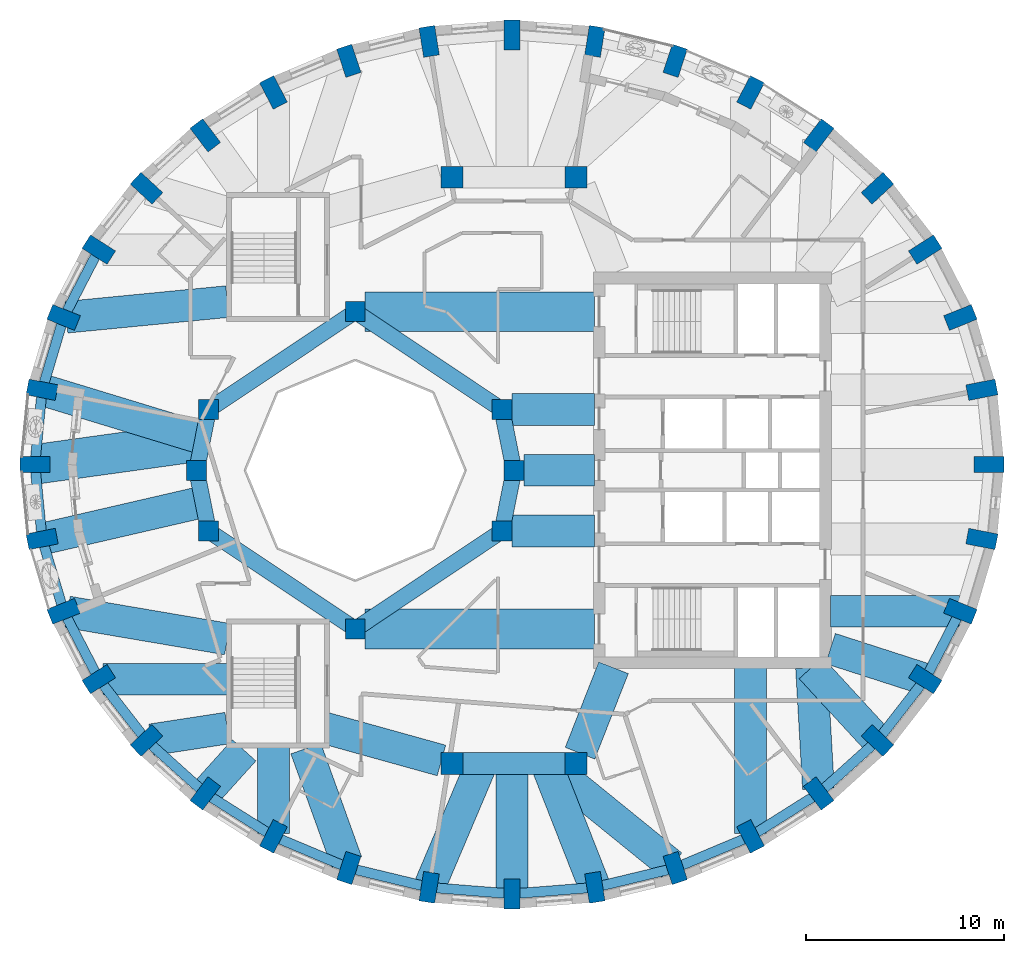
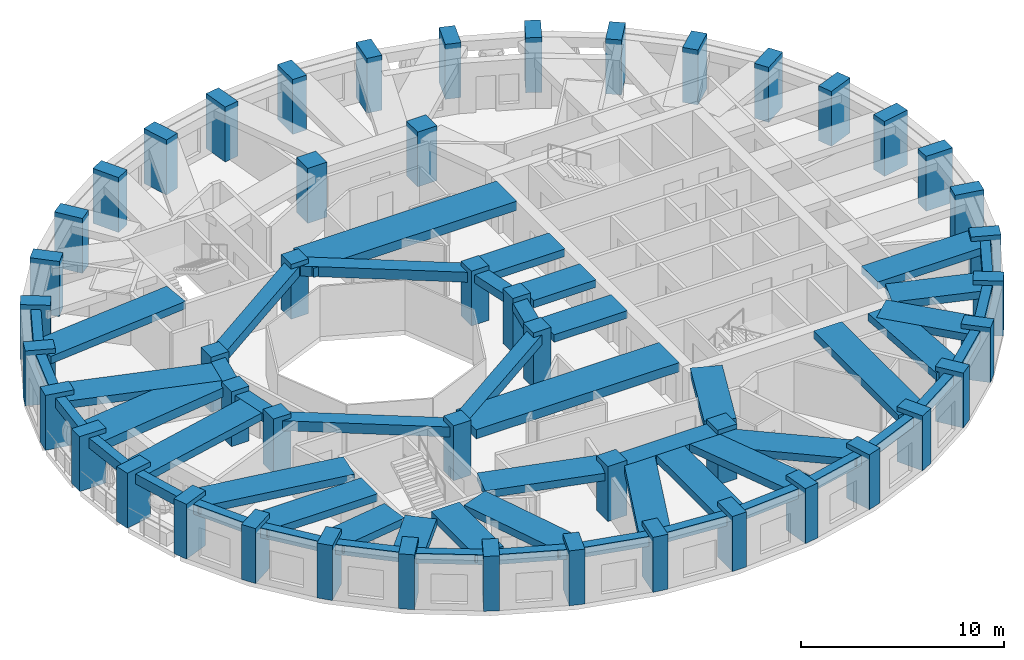
# One storey, part 1 of 12: 54 beams, 48 columns.
"""IFC4 building model written with IfcOpenShell, lengths in metres."""

from ifc_helpers import new_model, si_unit, direction, frame, origin, origin_2d, place, context, subcontext, project, spatial, rectangle, extrude, material, material_profile, profile_set, type_object, element, save


model = new_model("IFC4")

# Units and contexts
model_context = context("Model", 3, precision=1e-05, world=origin(), true_north=direction((0.0, 1.0)))
body_context = subcontext(model_context, "Body", "Model", "MODEL_VIEW")
ifc_project = project(units=[si_unit("LENGTHUNIT", "METRE"), si_unit("AREAUNIT", "SQUARE_METRE"), si_unit("VOLUMEUNIT", "CUBIC_METRE"), si_unit("PLANEANGLEUNIT", "RADIAN"), si_unit("MASSUNIT", "GRAM", prefix="KILO")], contexts=[model_context])

# Site, building, storey
site_placement = place(None, origin())
site = spatial("IfcSite", under=ifc_project, at=site_placement, CompositionType="ELEMENT")
building_placement = place(site_placement, origin())
building = spatial("IfcBuilding", under=site, at=building_placement, Name="Taillehof Tower", CompositionType="ELEMENT")
storey_placement = place(building_placement, frame((0.0, 0.0, 236.60009765625)))
storey = spatial("IfcBuildingStorey", under=building, at=storey_placement, Name="L67", CompositionType="ELEMENT", Elevation=236.60009765625)

# Columns
ifc_material_1 = material(Name="Concrete C50/60", Category="concrete")
ifc_material_profile_1 = material_profile(ifc_material_1, rectangle(XDim=1.0, YDim=1.0, at=origin_2d()), Name="RC 1000x1000")
ifc_profile_set_1 = profile_set([ifc_material_profile_1], Name="Concrete C50/60")
column_type_1 = type_object("IfcColumnType", Name="Atrium ring column C50/60 1000x1000", PredefinedType="COLUMN", material=ifc_profile_set_1)
for number, where, z_axis, x_axis, name in (
    (1, (0.0, 0.0, 0.0), (0.0, 0.0, 1.0), (1.0, 0.0, 0.0), "Column AC01"),
    (2, (-0.60888671875, 3.0615234375, 0.0), (0.0, 0.0, 1.0), (1.0, 0.0, 0.0), "Column AC02"),
    (3, (-8.0, 8.0, 0.0), (0.0, 0.0, 1.0), (1.0, 0.0, 0.0), "Column AC05"),
    (4, (-15.39111328125, 3.0615234375, 0.0), (0.0, 0.0, 1.0), (1.0, 0.0, 0.0), "Column AC08"),
    (5, (-16.0, 0.0, 0.0), (0.0, 0.0, 1.0), (1.0, 0.0, 0.0), "Column AC09"),
    (6, (-15.39111328125, -3.0615234375, 0.0), (0.0, 0.0, 1.0), (1.0, 0.0, 0.0), "Column AC10"),
    (7, (-8.0, -8.0, 0.0), (0.0, 0.0, 1.0), (1.0, 0.0, 0.0), "Column AC13"),
    (8, (-0.60888671875, -3.0615234375, 0.0), (0.0, 0.0, 1.0), (1.0, 0.0, 0.0), "Column AC16"),
):
    element("IfcColumn", number, at=place(storey_placement, frame(where, z_axis=z_axis, x_axis=x_axis)), inside=storey, type_object=column_type_1, Name=name, PredefinedType="COLUMN", context=body_context, shape_type="SweptSolid", body=[
        extrude(rectangle(XDim=1.0, YDim=1.0, at=origin_2d()), origin(), (0.0, 0.0, 1.0), 3.2998046875),
    ])
ifc_material_2 = material(Name="Concrete C50/60", Category="concrete")
ifc_material_profile_2 = material_profile(ifc_material_2, rectangle(XDim=1.10009765625, YDim=1.10009765625, at=origin_2d()), Name="RC 1100x1100")
ifc_profile_set_2 = profile_set([ifc_material_profile_2], Name="Concrete C50/60")
column_type_2 = type_object("IfcColumnType", Name="Mid-ring column C50/60 1100x1100", PredefinedType="COLUMN", material=ifc_profile_set_2)
for number, where, z_axis, x_axis, name in (
    (9, (3.125732421875, 14.772216796875, 0.0), (0.0, 0.0, 1.0), (1.0, 0.0, 0.0), "Column MC05"),
    (10, (-3.125732421875, 14.772216796875, 0.0), (0.0, 0.0, 1.0), (1.0, 0.0, 0.0), "Column MC06"),
    (11, (-3.125732421875, -14.772216796875, 0.0), (0.0, 0.0, 1.0), (1.0, 0.0, 0.0), "Column MC14"),
    (12, (3.125732421875, -14.772216796875, 0.0), (0.0, 0.0, 1.0), (1.0, 0.0, 0.0), "Column MC15"),
):
    element("IfcColumn", number, at=place(storey_placement, frame(where, z_axis=z_axis, x_axis=x_axis)), inside=storey, type_object=column_type_2, Name=name, PredefinedType="COLUMN", context=body_context, shape_type="SweptSolid", body=[
        extrude(rectangle(XDim=1.10009765625, YDim=1.10009765625, at=origin_2d()), origin(), (0.0, 0.0, 1.0), 3.2998046875),
    ])
ifc_material_3 = material(Name="Concrete C50/60", Category="concrete")
ifc_material_profile_3 = material_profile(ifc_material_3, rectangle(XDim=1.5, YDim=0.800048828125, at=origin_2d()), Name="RC 1500x800")
ifc_profile_set_3 = profile_set([ifc_material_profile_3], Name="Concrete C50/60")
column_type_3 = type_object("IfcColumnType", Name="Ring column C50/60 1500x800", PredefinedType="COLUMN", material=ifc_profile_set_3)
for number, where, z_axis, x_axis, name in (
    (13, (23.949951171875, 0.300048828125, 0.0), (0.0, 0.0, 1.0), (1.0, 0.0, 0.0), "Ring column RC01"),
    (14, (23.584716796875, 4.0595703125, 0.0), (0.0, 0.0, 1.0), (0.981472639166, 0.191602344891, 0.0), "Ring column RC02"),
    (15, (22.49951171875, 7.704833984375, 0.0), (0.0, 0.0, 1.0), (0.927524694272, 0.373761878092, 0.0), "Ring column RC03"),
    (16, (20.72802734375, 11.125, 0.0), (0.0, 0.0, 1.0), (0.842573772535, 0.538580948267, 0.0), "Ring column RC04"),
    (17, (18.323486328125, 14.21630859375, 0.0), (0.0, 0.0, 1.0), (0.73263579998, 0.680620881686, 0.0), "Ring column RC05"),
    (18, (15.359130859375, 16.884765625, 0.0), (0.0, 0.0, 1.0), (0.604020073066, 0.796969103123, 0.0), "Ring column RC06"),
    (19, (11.925048828125, 19.049560546875, 0.0), (0.0, 0.0, 1.0), (0.462383690865, 0.886679943622, 0.0), "Ring column RC07"),
    (20, (8.12548828125, 20.644287109375, 0.0), (0.0, 0.0, 1.0), (0.312304079287, 0.949982190391, 0.0), "Ring column RC08"),
    (21, (4.076171875, 21.62109375, 0.0), (0.0, 0.0, 1.0), (0.1572808136, 0.987553920388, 0.0), "Ring column RC09"),
    (22, (-0.10009765625, 21.949951171875, 0.0), (0.0, 0.0, 1.0), (0.0, 1.0, 0.0), "Ring column RC10"),
    (23, (-4.276123046875, 21.62109375, 0.0), (0.0, 0.0, 1.0), (-0.1572808136, 0.987553920388, 0.0), "Ring column RC11"),
    (24, (-8.32568359375, 20.644287109375, 0.0), (0.0, 0.0, 1.0), (-0.312304079287, 0.949982190391, 0.0), "Ring column RC12"),
    (25, (-12.125, 19.049560546875, 0.0), (0.0, 0.0, 1.0), (-0.462383690865, 0.886679943622, 0.0), "Ring column RC13"),
    (26, (-15.55908203125, 16.884765625, 0.0), (0.0, 0.0, 1.0), (-0.604020073066, 0.796969103123, 0.0), "Ring column RC14"),
    (27, (-18.5234375, 14.21630859375, 0.0), (0.0, 0.0, 1.0), (-0.73263579998, 0.680620881686, 0.0), "Ring column RC15"),
    (28, (-20.927978515625, 11.125, 0.0), (0.0, 0.0, 1.0), (-0.842573772535, 0.538580948267, 0.0), "Ring column RC16"),
    (29, (-22.69970703125, 7.704833984375, 0.0), (0.0, 0.0, 1.0), (-0.927524694272, 0.373761878092, 0.0), "Ring column RC17"),
    (30, (-23.78466796875, 4.0595703125, 0.0), (0.0, 0.0, 1.0), (-0.981472639166, 0.191602344891, 0.0), "Ring column RC18"),
    (31, (-24.14990234375, 0.300048828125, 0.0), (0.0, 0.0, 1.0), (-1.0, 0.0, 0.0), "Ring column RC19"),
    (32, (-23.78466796875, -3.45947265625, 0.0), (0.0, 0.0, 1.0), (-0.981472639166, -0.191602344891, 0.0), "Ring column RC20"),
    (33, (-22.69970703125, -7.104736328125, 0.0), (0.0, 0.0, 1.0), (-0.927524694272, -0.373761878092, 0.0), "Ring column RC21"),
    (34, (-20.927978515625, -10.52490234375, 0.0), (0.0, 0.0, 1.0), (-0.842573772535, -0.538580948267, 0.0), "Ring column RC22"),
    (35, (-18.5234375, -13.616455078125, 0.0), (0.0, 0.0, 1.0), (-0.73263579998, -0.680620881686, 0.0), "Ring column RC23"),
    (36, (-15.55908203125, -16.284912109375, 0.0), (0.0, 0.0, 1.0), (-0.604020073066, -0.796969103123, 0.0), "Ring column RC24"),
    (37, (-12.125, -18.449462890625, 0.0), (0.0, 0.0, 1.0), (-0.462383690865, -0.886679943622, 0.0), "Ring column RC25"),
    (38, (-8.32568359375, -20.04443359375, 0.0), (0.0, 0.0, 1.0), (-0.312304079287, -0.949982190391, 0.0), "Ring column RC26"),
    (39, (-4.276123046875, -21.02099609375, 0.0), (0.0, 0.0, 1.0), (-0.1572808136, -0.987553920388, 0.0), "Ring column RC27"),
    (40, (-0.10009765625, -21.35009765625, 0.0), (0.0, 0.0, 1.0), (0.0, -1.0, 0.0), "Ring column RC28"),
    (41, (4.076171875, -21.02099609375, 0.0), (0.0, 0.0, 1.0), (0.1572808136, -0.987553920388, 0.0), "Ring column RC29"),
    (42, (8.12548828125, -20.04443359375, 0.0), (0.0, 0.0, 1.0), (0.312304079287, -0.949982190391, 0.0), "Ring column RC30"),
    (43, (11.925048828125, -18.449462890625, 0.0), (0.0, 0.0, 1.0), (0.462383690865, -0.886679943622, 0.0), "Ring column RC31"),
    (44, (15.359130859375, -16.284912109375, 0.0), (0.0, 0.0, 1.0), (0.604020073066, -0.796969103123, 0.0), "Ring column RC32"),
    (45, (18.323486328125, -13.616455078125, 0.0), (0.0, 0.0, 1.0), (0.73263579998, -0.680620881686, 0.0), "Ring column RC33"),
    (46, (20.72802734375, -10.52490234375, 0.0), (0.0, 0.0, 1.0), (0.842573772535, -0.538580948267, 0.0), "Ring column RC34"),
    (47, (22.49951171875, -7.104736328125, 0.0), (0.0, 0.0, 1.0), (0.927524694272, -0.373761878092, 0.0), "Ring column RC35"),
    (48, (23.584716796875, -3.45947265625, 0.0), (0.0, 0.0, 1.0), (0.981472639166, -0.191602344891, 0.0), "Ring column RC36"),
):
    element("IfcColumn", number, at=place(storey_placement, frame(where, z_axis=z_axis, x_axis=x_axis)), inside=storey, type_object=column_type_3, Name=name, PredefinedType="COLUMN", context=body_context, shape_type="SweptSolid", body=[
        extrude(rectangle(XDim=1.5, YDim=0.800048828125, at=origin_2d()), origin(), (0.0, 0.0, 1.0), 3.2998046875),
    ])

# Beams
ifc_material_4 = material(Name="Concrete C50/60", Category="concrete")
ifc_material_profile_4 = material_profile(ifc_material_4, rectangle(XDim=0.800048828125, YDim=0.5, at=origin_2d()), Name="RC 800x500")
ifc_profile_set_4 = profile_set([ifc_material_profile_4], Name="Concrete C50/60")
beam_type_1 = type_object("IfcBeamType", Name="Atrium ring beam C50/60 800x500", PredefinedType="BEAM", material=ifc_profile_set_4)
for number, where, z_axis, x_axis, name in (
    (49, (0.0, 0.0, 2.77001953125), (-0.195063155143, 0.980790683839, 0.0), (-0.980790683839, -0.195063155143, 0.0), "Atrium ring beam AB01"),
    (50, (-15.39111328125, 3.0615234375, 2.77001953125), (-0.195063155143, -0.980790683839, 0.0), (0.980790683839, -0.195063155143, 0.0), "Atrium ring beam AB04"),
    (51, (-16.0, 0.0, 2.77001953125), (0.195063155143, -0.980790683839, 0.0), (0.980790683839, 0.195063155143, 0.0), "Atrium ring beam AB05"),
    (52, (-0.60888671875, -3.0615234375, 2.77001953125), (0.195063155143, 0.980790683839, 0.0), (-0.980790683839, 0.195063155143, 0.0), "Atrium ring beam AB08"),
):
    element("IfcBeam", number, at=place(storey_placement, frame(where, z_axis=z_axis, x_axis=x_axis)), inside=storey, type_object=beam_type_1, Name=name, PredefinedType="BEAM", context=body_context, shape_type="SweptSolid", body=[
        extrude(rectangle(XDim=0.800048828125, YDim=0.5, at=origin_2d()), origin(), (0.0, 0.0, 1.0), 3.12158203125),
    ])
ifc_material_5 = material(Name="Concrete C50/60", Category="concrete")
ifc_material_profile_5 = material_profile(ifc_material_5, rectangle(XDim=0.800048828125, YDim=0.60009765625, at=origin_2d()), Name="RC 800x600")
ifc_profile_set_5 = profile_set([ifc_material_profile_5], Name="Concrete C50/60")
beam_type_2 = type_object("IfcBeamType", Name="Atrium ring beam C50/60 800x600", PredefinedType="BEAM", material=ifc_profile_set_5)
for number, where, z_axis, x_axis, name in (
    (53, (-0.60888671875, 3.0615234375, 2.719970703125), (-0.831475195687, 0.555561876804, 0.0), (-0.555561876804, -0.831475195687, 0.0), "Atrium ring beam AB02"),
    (54, (-8.0, 8.0, 2.719970703125), (-0.831475195687, -0.555561876804, 0.0), (0.555561876804, -0.831475195687, 0.0), "Atrium ring beam AB03"),
    (55, (-15.39111328125, -3.0615234375, 2.719970703125), (0.831475195687, -0.555561876804, 0.0), (0.555561876804, 0.831475195687, 0.0), "Atrium ring beam AB06"),
    (56, (-8.0, -8.0, 2.719970703125), (0.831475195687, 0.555561876804, 0.0), (-0.555561876804, 0.831475195687, 0.0), "Atrium ring beam AB07"),
):
    element("IfcBeam", number, at=place(storey_placement, frame(where, z_axis=z_axis, x_axis=x_axis)), inside=storey, type_object=beam_type_2, Name=name, PredefinedType="BEAM", context=body_context, shape_type="SweptSolid", body=[
        extrude(rectangle(XDim=0.800048828125, YDim=0.60009765625, at=origin_2d()), origin(), (0.0, 0.0, 1.0), 8.88916015625),
    ])
ifc_material_6 = material(Name="Concrete C50/60", Category="concrete")
ifc_material_profile_6 = material_profile(ifc_material_6, rectangle(XDim=1.10009765625, YDim=0.60009765625, at=origin_2d()), Name="RC 1100x600")
ifc_profile_set_6 = profile_set([ifc_material_profile_6], Name="Concrete C50/60")
beam_type_3 = type_object("IfcBeamType", Name="Mid-ring beam C50/60 1100x600", PredefinedType="BEAM", material=ifc_profile_set_6)
beam_1_placement = place(storey_placement, frame((-3.125732421875, -14.772216796875, 2.719970703125), z_axis=(1.0, 0.0, 0.0), x_axis=(0.0, 1.0, 0.0)))
element("IfcBeam", 57, at=beam_1_placement, inside=storey, type_object=beam_type_3, Name="Mid-ring beam MB02", PredefinedType="BEAM", context=body_context, shape_type="SweptSolid", body=[
    extrude(rectangle(XDim=1.10009765625, YDim=0.60009765625, at=origin_2d()), origin(), (0.0, 0.0, 1.0), 6.25146484375),
])
ifc_material_7 = material(Name="Concrete C50/60", Category="concrete")
ifc_material_profile_7 = material_profile(ifc_material_7, rectangle(XDim=1.60009765625, YDim=0.449951171875, at=origin_2d()), Name="RC 1600x450")
ifc_profile_set_7 = profile_set([ifc_material_profile_7], Name="Concrete C50/60")
beam_type_4 = type_object("IfcBeamType", Name="Radial band beam C50/60 1600x450", PredefinedType="BEAM", material=ifc_profile_set_7)
beam_2_placement = place(storey_placement, frame((-22.564697265625, 7.7177734375, 2.794921875), z_axis=(0.995328408647, 0.096547185049, 0.0), x_axis=(-0.096547185049, 0.995328408647, 0.0)))
element("IfcBeam", 58, at=beam_2_placement, inside=storey, type_object=beam_type_4, Name="Radial band beam RB17", PredefinedType="BEAM", context=body_context, shape_type="SweptSolid", body=[
    extrude(rectangle(XDim=1.60009765625, YDim=0.449951171875, at=origin_2d()), origin(), (0.0, 0.0, 1.0), 8.152587890625),
])
beam_3_placement = place(storey_placement, frame((-23.78466796875, 4.0595703125, 2.794921875), z_axis=(0.956552302924, -0.291560785721, 0.0), x_axis=(0.291560785721, 0.956552302924, 0.0)))
element("IfcBeam", 59, at=beam_3_placement, inside=storey, type_object=beam_type_4, Name="Radial band beam RB18", PredefinedType="BEAM", context=body_context, shape_type="SweptSolid", body=[
    extrude(rectangle(XDim=1.60009765625, YDim=0.449951171875, at=origin_2d()), origin(), (0.0, 0.0, 1.0), 8.468994140625),
])
beam_4_placement = place(storey_placement, frame((-23.78466796875, -3.45947265625, 2.794921875), z_axis=(0.974400103511, 0.224820902672, 0.0), x_axis=(-0.224820902672, 0.974400103511, 0.0)))
element("IfcBeam", 60, at=beam_4_placement, inside=storey, type_object=beam_type_4, Name="Radial band beam RB20", PredefinedType="BEAM", context=body_context, shape_type="SweptSolid", body=[
    extrude(rectangle(XDim=1.60009765625, YDim=0.449951171875, at=origin_2d()), origin(), (0.0, 0.0, 1.0), 8.31396484375),
])
beam_5_placement = place(storey_placement, frame((-22.502685546875, -7.13818359375, 2.794921875), z_axis=(0.985830005482, -0.167747430059, 0.0), x_axis=(0.167747430059, 0.985830005482, 0.0)))
element("IfcBeam", 61, at=beam_5_placement, inside=storey, type_object=beam_type_4, Name="Radial band beam RB21", PredefinedType="BEAM", context=body_context, shape_type="SweptSolid", body=[
    extrude(rectangle(XDim=1.60009765625, YDim=0.449951171875, at=origin_2d()), origin(), (0.0, 0.0, 1.0), 8.167724609375),
])
beam_6_placement = place(storey_placement, frame((-20.7119140625, -10.52490234375, 2.794921875), z_axis=(1.0, 0.0, 0.0), x_axis=(0.0, 1.0, 0.0)))
element("IfcBeam", 62, at=beam_6_placement, inside=storey, type_object=beam_type_4, Name="Radial band beam RB22", PredefinedType="BEAM", context=body_context, shape_type="SweptSolid", body=[
    extrude(rectangle(XDim=1.60009765625, YDim=0.449951171875, at=origin_2d()), origin(), (0.0, 0.0, 1.0), 6.261962890625),
])
beam_7_placement = place(storey_placement, frame((-18.283447265625, -13.57958984375, 2.794921875), z_axis=(0.988468308682, 0.151427879634, 0.0), x_axis=(-0.151427879634, 0.988468308682, 0.0)))
element("IfcBeam", 63, at=beam_7_placement, inside=storey, type_object=beam_type_4, Name="Radial band beam RB23", PredefinedType="BEAM", context=body_context, shape_type="SweptSolid", body=[
    extrude(rectangle(XDim=1.60009765625, YDim=0.449951171875, at=origin_2d()), origin(), (0.0, 0.0, 1.0), 3.87744140625),
])
beam_8_placement = place(storey_placement, frame((-15.55908203125, -16.284912109375, 2.794921875), z_axis=(0.669439419649, 0.742866652516, 0.0), x_axis=(-0.742866652516, 0.669439419649, 0.0)))
element("IfcBeam", 64, at=beam_8_placement, inside=storey, type_object=beam_type_4, Name="Radial band beam RB24", PredefinedType="BEAM", context=body_context, shape_type="SweptSolid", body=[
    extrude(rectangle(XDim=1.60009765625, YDim=0.449951171875, at=origin_2d()), origin(), (0.0, 0.0, 1.0), 2.926025390625),
])
beam_9_placement = place(storey_placement, frame((-12.125, -18.3154296875, 2.794921875), z_axis=(0.0, 1.0, 0.0), x_axis=(-1.0, 0.0, 0.0)))
element("IfcBeam", 65, at=beam_9_placement, inside=storey, type_object=beam_type_4, Name="Radial band beam RB25", PredefinedType="BEAM", context=body_context, shape_type="SweptSolid", body=[
    extrude(rectangle(XDim=1.60009765625, YDim=0.449951171875, at=origin_2d()), origin(), (0.0, 0.0, 1.0), 4.365478515625),
])
beam_10_placement = place(storey_placement, frame((-8.42919921875, -19.755859375, 2.794921875), z_axis=(-0.338515207556, 0.940960920683, 0.0), x_axis=(-0.940960920683, -0.338515207556, 0.0)))
element("IfcBeam", 66, at=beam_10_placement, inside=storey, type_object=beam_type_4, Name="Radial band beam RB26", PredefinedType="BEAM", context=body_context, shape_type="SweptSolid", body=[
    extrude(rectangle(XDim=1.60009765625, YDim=0.449951171875, at=origin_2d()), origin(), (0.0, 0.0, 1.0), 6.094970703125),
])
beam_11_placement = place(storey_placement, frame((-4.276123046875, -21.02099609375, 2.794921875), z_axis=(0.390474101739, 0.920613912491, 0.0), x_axis=(-0.920613912491, 0.390474101739, 0.0)))
element("IfcBeam", 67, at=beam_11_placement, inside=storey, type_object=beam_type_4, Name="Radial band beam RB27", PredefinedType="BEAM", context=body_context, shape_type="SweptSolid", body=[
    extrude(rectangle(XDim=1.60009765625, YDim=0.449951171875, at=origin_2d()), origin(), (0.0, 0.0, 1.0), 6.78759765625),
])
beam_12_placement = place(storey_placement, frame((-0.10009765625, -21.35009765625, 2.794921875), z_axis=(0.0, 1.0, 0.0), x_axis=(-1.0, 0.0, 0.0)))
element("IfcBeam", 68, at=beam_12_placement, inside=storey, type_object=beam_type_4, Name="Radial band beam RB28", PredefinedType="BEAM", context=body_context, shape_type="SweptSolid", body=[
    extrude(rectangle(XDim=1.60009765625, YDim=0.449951171875, at=origin_2d()), origin(), (0.0, 0.0, 1.0), 6.577880859375),
])
beam_13_placement = place(storey_placement, frame((4.076171875, -21.02099609375, 2.794921875), z_axis=(-0.365079492969, 0.93097634976, 0.0), x_axis=(-0.93097634976, -0.365079492969, 0.0)))
element("IfcBeam", 69, at=beam_13_placement, inside=storey, type_object=beam_type_4, Name="Radial band beam RB29", PredefinedType="BEAM", context=body_context, shape_type="SweptSolid", body=[
    extrude(rectangle(XDim=1.60009765625, YDim=0.449951171875, at=origin_2d()), origin(), (0.0, 0.0, 1.0), 6.712158203125),
])
beam_14_placement = place(storey_placement, frame((7.9560546875, -19.90673828125, 2.794921875), z_axis=(-0.776646099525, 0.629937168369, 0.0), x_axis=(-0.629937168369, -0.776646099525, 0.0)))
element("IfcBeam", 70, at=beam_14_placement, inside=storey, type_object=beam_type_4, Name="Radial band beam RB30", PredefinedType="BEAM", context=body_context, shape_type="SweptSolid", body=[
    extrude(rectangle(XDim=1.60009765625, YDim=0.449951171875, at=origin_2d()), origin(), (0.0, 0.0, 1.0), 8.03759765625),
])
beam_15_placement = place(storey_placement, frame((11.925048828125, -18.3154296875, 2.794921875), z_axis=(0.0, 1.0, 0.0), x_axis=(-1.0, 0.0, 0.0)))
element("IfcBeam", 71, at=beam_15_placement, inside=storey, type_object=beam_type_4, Name="Radial band beam RB31", PredefinedType="BEAM", context=body_context, shape_type="SweptSolid", body=[
    extrude(rectangle(XDim=1.60009765625, YDim=0.449951171875, at=origin_2d()), origin(), (0.0, 0.0, 1.0), 8.365478515625),
])
beam_16_placement = place(storey_placement, frame((15.345703125, -16.050537109375, 2.794921875), z_axis=(-0.057056617778, 0.998370944273, 0.0), x_axis=(-0.998370944273, -0.057056617778, 0.0)))
element("IfcBeam", 72, at=beam_16_placement, inside=storey, type_object=beam_type_4, Name="Radial band beam RB32", PredefinedType="BEAM", context=body_context, shape_type="SweptSolid", body=[
    extrude(rectangle(XDim=1.60009765625, YDim=0.449951171875, at=origin_2d()), origin(), (0.0, 0.0, 1.0), 6.1103515625),
])
beam_17_placement = place(storey_placement, frame((18.323486328125, -13.616455078125, 2.794921875), z_axis=(-0.676659897365, 0.736295717289, 0.0), x_axis=(-0.736295717289, -0.676659897365, 0.0)))
element("IfcBeam", 73, at=beam_17_placement, inside=storey, type_object=beam_type_4, Name="Radial band beam RB33", PredefinedType="BEAM", context=body_context, shape_type="SweptSolid", body=[
    extrude(rectangle(XDim=1.60009765625, YDim=0.449951171875, at=origin_2d()), origin(), (0.0, 0.0, 1.0), 4.961669921875),
])
beam_18_placement = place(storey_placement, frame((20.72802734375, -10.52490234375, 2.794921875), z_axis=(-0.951722832358, 0.306958711178, 0.0), x_axis=(-0.306958711178, -0.951722832358, 0.0)))
element("IfcBeam", 74, at=beam_18_placement, inside=storey, type_object=beam_type_4, Name="Radial band beam RB34", PredefinedType="BEAM", context=body_context, shape_type="SweptSolid", body=[
    extrude(rectangle(XDim=1.60009765625, YDim=0.449951171875, at=origin_2d()), origin(), (0.0, 0.0, 1.0), 5.017822265625),
])
beam_19_placement = place(storey_placement, frame((22.44580078125, -7.104736328125, 2.794921875), z_axis=(-1.0, 0.0, 0.0), x_axis=(0.0, -1.0, 0.0)))
element("IfcBeam", 75, at=beam_19_placement, inside=storey, type_object=beam_type_4, Name="Radial band beam RB35", PredefinedType="BEAM", context=body_context, shape_type="SweptSolid", body=[
    extrude(rectangle(XDim=1.60009765625, YDim=0.449951171875, at=origin_2d()), origin(), (0.0, 0.0, 1.0), 6.495849609375),
])
beam_20_placement = place(storey_placement, frame((0.5, 0.0, 2.794921875), z_axis=(1.0, 0.0, 0.0), x_axis=(0.0, 1.0, 0.0)))
element("IfcBeam", 76, at=beam_20_placement, inside=storey, type_object=beam_type_4, Name="Inner band beam IB101", PredefinedType="BEAM", context=body_context, shape_type="SweptSolid", body=[
    extrude(rectangle(XDim=1.60009765625, YDim=0.449951171875, at=origin_2d()), origin(), (0.0, 0.0, 1.0), 3.550048828125),
])
for number, where, z_axis, x_axis, name in (
    (77, (-0.10888671875, 3.0615234375, 2.794921875), (1.0, 0.0, 0.0), (0.0, 1.0, 0.0), "Inner band beam IB102"),
    (78, (-0.10888671875, -3.0615234375, 2.794921875), (1.0, 0.0, 0.0), (0.0, 1.0, 0.0), "Inner band beam IB116"),
):
    element("IfcBeam", number, at=place(storey_placement, frame(where, z_axis=z_axis, x_axis=x_axis)), inside=storey, type_object=beam_type_4, Name=name, PredefinedType="BEAM", context=body_context, shape_type="SweptSolid", body=[
        extrude(rectangle(XDim=1.60009765625, YDim=0.449951171875, at=origin_2d()), origin(), (0.0, 0.0, 1.0), 4.158935546875),
    ])
beam_21_placement = place(storey_placement, frame((-3.655517578125, -14.624755859375, 2.794921875), z_axis=(-0.963459369536, 0.267854518821, 0.0), x_axis=(-0.267854518821, -0.963459369536, 0.0)))
element("IfcBeam", 79, at=beam_21_placement, inside=storey, type_object=beam_type_4, Name="Inner band beam IB214", PredefinedType="BEAM", context=body_context, shape_type="SweptSolid", body=[
    extrude(rectangle(XDim=1.60009765625, YDim=0.449951171875, at=origin_2d()), origin(), (0.0, 0.0, 1.0), 6.096923828125),
])
beam_22_placement = place(storey_placement, frame((3.32666015625, -14.26025390625, 2.794921875), z_axis=(0.365588707223, 0.930776502255, 0.0), x_axis=(-0.930776502255, 0.365588707223, 0.0)))
element("IfcBeam", 80, at=beam_22_placement, inside=storey, type_object=beam_type_4, Name="Inner band beam IB215", PredefinedType="BEAM", context=body_context, shape_type="SweptSolid", body=[
    extrude(rectangle(XDim=1.60009765625, YDim=0.449951171875, at=origin_2d()), origin(), (0.0, 0.0, 1.0), 4.627197265625),
])
ifc_material_8 = material(Name="Concrete C50/60", Category="concrete")
ifc_material_profile_8 = material_profile(ifc_material_8, rectangle(XDim=2.0, YDim=0.550048828125, at=origin_2d()), Name="RC 2000x550")
ifc_profile_set_8 = profile_set([ifc_material_profile_8], Name="Concrete C50/60")
beam_type_5 = type_object("IfcBeamType", Name="Radial band beam C50/60 2000x550", PredefinedType="BEAM", material=ifc_profile_set_8)
beam_23_placement = place(storey_placement, frame((-24.14990234375, 0.300048828125, 2.744873046875), z_axis=(0.990515351696, 0.137402103528, 0.0), x_axis=(-0.137402103528, 0.990515351696, 0.0)))
element("IfcBeam", 81, at=beam_23_placement, inside=storey, type_object=beam_type_5, Name="Radial band beam RB19", PredefinedType="BEAM", context=body_context, shape_type="SweptSolid", body=[
    extrude(rectangle(XDim=2.0, YDim=0.550048828125, at=origin_2d()), origin(), (0.0, 0.0, 1.0), 8.5234375),
])
for number, where, z_axis, x_axis, name in (
    (82, (-7.5, 8.0, 2.744873046875), (1.0, 0.0, 0.0), (0.0, 1.0, 0.0), "Inner band beam IB105"),
    (83, (-7.5, -8.0, 2.744873046875), (1.0, 0.0, 0.0), (0.0, 1.0, 0.0), "Inner band beam IB113"),
):
    element("IfcBeam", number, at=place(storey_placement, frame(where, z_axis=z_axis, x_axis=x_axis)), inside=storey, type_object=beam_type_5, Name=name, PredefinedType="BEAM", context=body_context, shape_type="SweptSolid", body=[
        extrude(rectangle(XDim=2.0, YDim=0.550048828125, at=origin_2d()), origin(), (0.0, 0.0, 1.0), 11.550048828125),
    ])
ifc_material_9 = material(Name="Concrete C50/60", Category="concrete")
ifc_material_profile_9 = material_profile(ifc_material_9, rectangle(XDim=0.5, YDim=0.60009765625, at=origin_2d()), Name="RC 500x600")
ifc_profile_set_9 = profile_set([ifc_material_profile_9], Name="Concrete C50/60")
beam_type_6 = type_object("IfcBeamType", Name="Spandrel beam C50/60 500x600", PredefinedType="SPANDREL", material=ifc_profile_set_9)
beam_24_placement = place(storey_placement, frame((-20.927978515625, 11.125, 2.719970703125), z_axis=(-0.459971160554, -0.88793385534, 0.0), x_axis=(0.88793385534, -0.459971160554, 0.0)))
element("IfcBeam", 84, at=beam_24_placement, inside=storey, type_object=beam_type_6, Name="Spandrel beam SB16", PredefinedType="SPANDREL", context=body_context, shape_type="SweptSolid", body=[
    extrude(rectangle(XDim=0.5, YDim=0.60009765625, at=origin_2d()), origin(), (0.0, 0.0, 1.0), 3.851806640625),
])
beam_25_placement = place(storey_placement, frame((-22.69970703125, 7.704833984375, 2.719970703125), z_axis=(-0.285268336874, -0.958447690788, 0.0), x_axis=(0.958447690788, -0.285268336874, 0.0)))
element("IfcBeam", 85, at=beam_25_placement, inside=storey, type_object=beam_type_6, Name="Spandrel beam SB17", PredefinedType="SPANDREL", context=body_context, shape_type="SweptSolid", body=[
    extrude(rectangle(XDim=0.5, YDim=0.60009765625, at=origin_2d()), origin(), (0.0, 0.0, 1.0), 3.80322265625),
])
for number, where, z_axis, x_axis, name in (
    (86, (-23.78466796875, 4.0595703125, 2.719970703125), (-0.096693940319, -0.995314162416, 0.0), (0.995314162416, -0.096693940319, 0.0), "Spandrel beam SB18"),
    (87, (-24.14990234375, 0.300048828125, 2.719970703125), (0.096693940319, -0.995314162416, 0.0), (0.995314162416, 0.096693940319, 0.0), "Spandrel beam SB19"),
):
    element("IfcBeam", number, at=place(storey_placement, frame(where, z_axis=z_axis, x_axis=x_axis)), inside=storey, type_object=beam_type_6, Name=name, PredefinedType="SPANDREL", context=body_context, shape_type="SweptSolid", body=[
        extrude(rectangle(XDim=0.5, YDim=0.60009765625, at=origin_2d()), origin(), (0.0, 0.0, 1.0), 3.777099609375),
    ])
beam_26_placement = place(storey_placement, frame((-23.78466796875, -3.45947265625, 2.719970703125), z_axis=(0.285268336874, -0.958447690788, 0.0), x_axis=(0.958447690788, 0.285268336874, 0.0)))
element("IfcBeam", 88, at=beam_26_placement, inside=storey, type_object=beam_type_6, Name="Spandrel beam SB20", PredefinedType="SPANDREL", context=body_context, shape_type="SweptSolid", body=[
    extrude(rectangle(XDim=0.5, YDim=0.60009765625, at=origin_2d()), origin(), (0.0, 0.0, 1.0), 3.80322265625),
])
beam_27_placement = place(storey_placement, frame((-22.69970703125, -7.104736328125, 2.719970703125), z_axis=(0.459971160554, -0.88793385534, 0.0), x_axis=(0.88793385534, 0.459971160554, 0.0)))
element("IfcBeam", 89, at=beam_27_placement, inside=storey, type_object=beam_type_6, Name="Spandrel beam SB21", PredefinedType="SPANDREL", context=body_context, shape_type="SweptSolid", body=[
    extrude(rectangle(XDim=0.5, YDim=0.60009765625, at=origin_2d()), origin(), (0.0, 0.0, 1.0), 3.851806640625),
])
beam_28_placement = place(storey_placement, frame((-20.927978515625, -10.52490234375, 2.719970703125), z_axis=(0.613940613515, -0.789352217376, 0.0), x_axis=(0.789352217376, 0.613940613515, 0.0)))
element("IfcBeam", 90, at=beam_28_placement, inside=storey, type_object=beam_type_6, Name="Spandrel beam SB22", PredefinedType="SPANDREL", context=body_context, shape_type="SweptSolid", body=[
    extrude(rectangle(XDim=0.5, YDim=0.60009765625, at=origin_2d()), origin(), (0.0, 0.0, 1.0), 3.91650390625),
])
beam_29_placement = place(storey_placement, frame((-18.5234375, -13.616455078125, 2.719970703125), z_axis=(0.743227182134, -0.669039128704, 0.0), x_axis=(0.669039128704, 0.743227182134, 0.0)))
element("IfcBeam", 91, at=beam_29_placement, inside=storey, type_object=beam_type_6, Name="Spandrel beam SB23", PredefinedType="SPANDREL", context=body_context, shape_type="SweptSolid", body=[
    extrude(rectangle(XDim=0.5, YDim=0.60009765625, at=origin_2d()), origin(), (0.0, 0.0, 1.0), 3.988525390625),
])
beam_30_placement = place(storey_placement, frame((-15.55908203125, -16.284912109375, 2.719970703125), z_axis=(0.845971606716, -0.533227944344, 0.0), x_axis=(0.533227944344, 0.845971606716, 0.0)))
element("IfcBeam", 92, at=beam_30_placement, inside=storey, type_object=beam_type_6, Name="Spandrel beam SB24", PredefinedType="SPANDREL", context=body_context, shape_type="SweptSolid", body=[
    extrude(rectangle(XDim=0.5, YDim=0.60009765625, at=origin_2d()), origin(), (0.0, 0.0, 1.0), 4.059326171875),
])
beam_31_placement = place(storey_placement, frame((-12.125, -18.449462890625, 2.719970703125), z_axis=(0.922046399446, -0.387079368178, 0.0), x_axis=(0.387079368178, 0.922046399446, 0.0)))
element("IfcBeam", 93, at=beam_31_placement, inside=storey, type_object=beam_type_6, Name="Spandrel beam SB25", PredefinedType="SPANDREL", context=body_context, shape_type="SweptSolid", body=[
    extrude(rectangle(XDim=0.5, YDim=0.60009765625, at=origin_2d()), origin(), (0.0, 0.0, 1.0), 4.12060546875),
])
beam_32_placement = place(storey_placement, frame((-8.32568359375, -20.04443359375, 2.719970703125), z_axis=(0.972132431202, -0.234432370218, 0.0), x_axis=(0.234432370218, 0.972132431202, 0.0)))
element("IfcBeam", 94, at=beam_32_placement, inside=storey, type_object=beam_type_6, Name="Spandrel beam SB26", PredefinedType="SPANDREL", context=body_context, shape_type="SweptSolid", body=[
    extrude(rectangle(XDim=0.5, YDim=0.60009765625, at=origin_2d()), origin(), (0.0, 0.0, 1.0), 4.16552734375),
])
beam_33_placement = place(storey_placement, frame((-4.276123046875, -21.02099609375, 2.719970703125), z_axis=(0.996909089392, -0.078563779743, 0.0), x_axis=(0.078563779743, 0.996909089392, 0.0)))
element("IfcBeam", 95, at=beam_33_placement, inside=storey, type_object=beam_type_6, Name="Spandrel beam SB27", PredefinedType="SPANDREL", context=body_context, shape_type="SweptSolid", body=[
    extrude(rectangle(XDim=0.5, YDim=0.60009765625, at=origin_2d()), origin(), (0.0, 0.0, 1.0), 4.18896484375),
])
beam_34_placement = place(storey_placement, frame((-0.10009765625, -21.35009765625, 2.719970703125), z_axis=(0.996909449091, 0.078559215326, 0.0), x_axis=(-0.078559215326, 0.996909449091, 0.0)))
element("IfcBeam", 96, at=beam_34_placement, inside=storey, type_object=beam_type_6, Name="Spandrel beam SB28", PredefinedType="SPANDREL", context=body_context, shape_type="SweptSolid", body=[
    extrude(rectangle(XDim=0.5, YDim=0.60009765625, at=origin_2d()), origin(), (0.0, 0.0, 1.0), 4.189208984375),
])
beam_35_placement = place(storey_placement, frame((4.076171875, -21.02099609375, 2.719970703125), z_axis=(0.972129209911, 0.234445727701, 0.0), x_axis=(-0.234445727701, 0.972129209911, 0.0)))
element("IfcBeam", 97, at=beam_35_placement, inside=storey, type_object=beam_type_6, Name="Spandrel beam SB29", PredefinedType="SPANDREL", context=body_context, shape_type="SweptSolid", body=[
    extrude(rectangle(XDim=0.5, YDim=0.60009765625, at=origin_2d()), origin(), (0.0, 0.0, 1.0), 4.16552734375),
])
beam_36_placement = place(storey_placement, frame((8.12548828125, -20.04443359375, 2.719970703125), z_axis=(0.922055276152, 0.38705822265, 0.0), x_axis=(-0.38705822265, 0.922055276152, 0.0)))
element("IfcBeam", 98, at=beam_36_placement, inside=storey, type_object=beam_type_6, Name="Spandrel beam SB30", PredefinedType="SPANDREL", context=body_context, shape_type="SweptSolid", body=[
    extrude(rectangle(XDim=0.5, YDim=0.60009765625, at=origin_2d()), origin(), (0.0, 0.0, 1.0), 4.120849609375),
])
beam_37_placement = place(storey_placement, frame((11.925048828125, -18.449462890625, 2.719970703125), z_axis=(0.845971606716, 0.533227944344, 0.0), x_axis=(-0.533227944344, 0.845971606716, 0.0)))
element("IfcBeam", 99, at=beam_37_placement, inside=storey, type_object=beam_type_6, Name="Spandrel beam SB31", PredefinedType="SPANDREL", context=body_context, shape_type="SweptSolid", body=[
    extrude(rectangle(XDim=0.5, YDim=0.60009765625, at=origin_2d()), origin(), (0.0, 0.0, 1.0), 4.059326171875),
])
beam_38_placement = place(storey_placement, frame((15.359130859375, -16.284912109375, 2.719970703125), z_axis=(0.743227182134, 0.669039128704, 0.0), x_axis=(-0.669039128704, 0.743227182134, 0.0)))
element("IfcBeam", 100, at=beam_38_placement, inside=storey, type_object=beam_type_6, Name="Spandrel beam SB32", PredefinedType="SPANDREL", context=body_context, shape_type="SweptSolid", body=[
    extrude(rectangle(XDim=0.5, YDim=0.60009765625, at=origin_2d()), origin(), (0.0, 0.0, 1.0), 3.988525390625),
])
beam_39_placement = place(storey_placement, frame((18.323486328125, -13.616455078125, 2.719970703125), z_axis=(0.613940613515, 0.789352217376, 0.0), x_axis=(-0.789352217376, 0.613940613515, 0.0)))
element("IfcBeam", 101, at=beam_39_placement, inside=storey, type_object=beam_type_6, Name="Spandrel beam SB33", PredefinedType="SPANDREL", context=body_context, shape_type="SweptSolid", body=[
    extrude(rectangle(XDim=0.5, YDim=0.60009765625, at=origin_2d()), origin(), (0.0, 0.0, 1.0), 3.91650390625),
])
beam_40_placement = place(storey_placement, frame((20.72802734375, -10.52490234375, 2.719970703125), z_axis=(0.45992118545, 0.887959741865, 0.0), x_axis=(-0.887959741865, 0.45992118545, 0.0)))
element("IfcBeam", 102, at=beam_40_placement, inside=storey, type_object=beam_type_6, Name="Spandrel beam SB34", PredefinedType="SPANDREL", context=body_context, shape_type="SweptSolid", body=[
    extrude(rectangle(XDim=0.5, YDim=0.60009765625, at=origin_2d()), origin(), (0.0, 0.0, 1.0), 3.851806640625),
])

save(model, "model.ifc")
